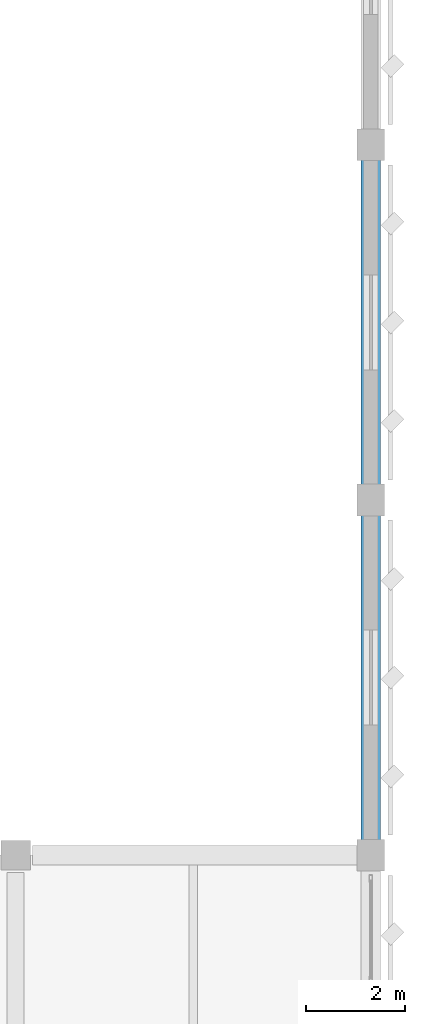
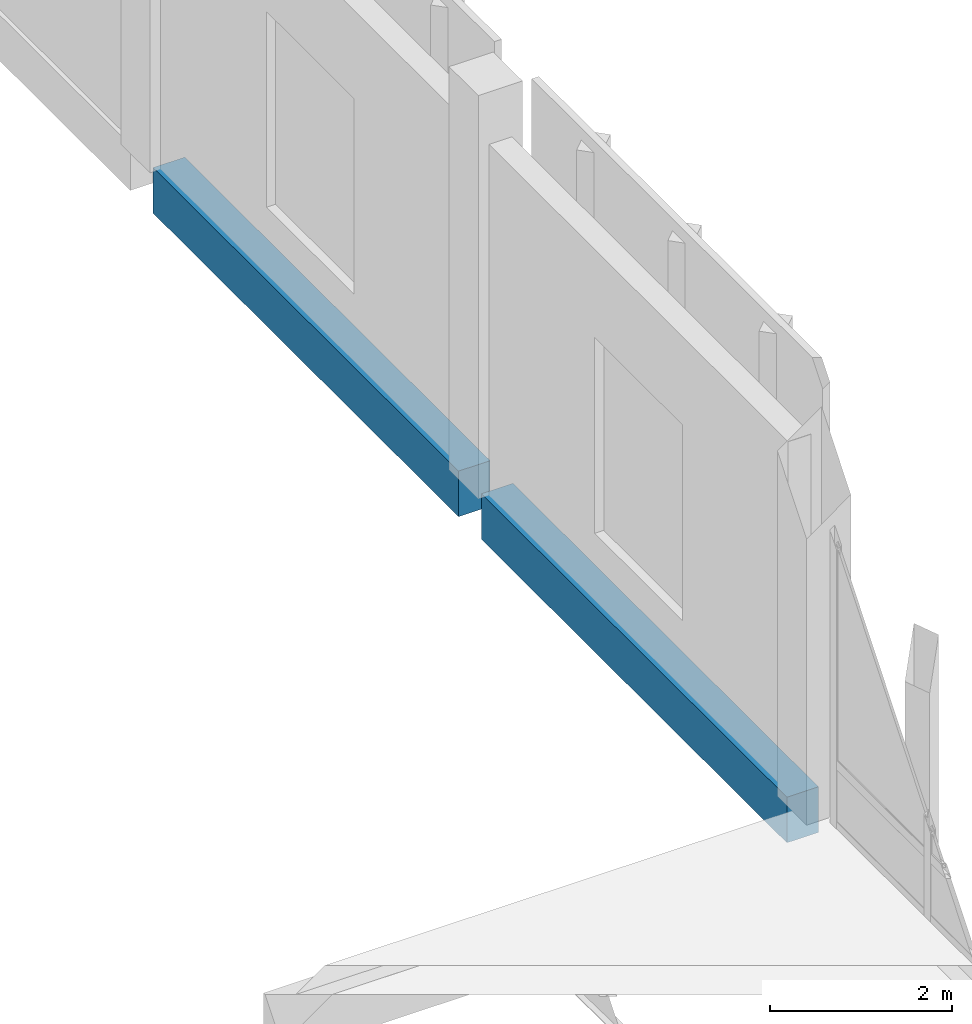
# One storey, part 113 of 180: 2 beams.
"""IFC4 building model written with IfcOpenShell, lengths in metres."""

from ifc_helpers import new_model, si_unit, direction, frame, origin, origin_2d, place, context, subcontext, project, spatial, rectangle, extrude, material, material_profile, profile_set, type_object, element, save


model = new_model("IFC4")

# Units and contexts
model_context = context("Model", 3, precision=1e-05, world=origin(), true_north=direction((0.0, 1.0)))
body_context = subcontext(model_context, "Body", "Model", "MODEL_VIEW")
ifc_project = project(units=[si_unit("LENGTHUNIT", "METRE"), si_unit("AREAUNIT", "SQUARE_METRE"), si_unit("VOLUMEUNIT", "CUBIC_METRE"), si_unit("PLANEANGLEUNIT", "RADIAN"), si_unit("MASSUNIT", "GRAM", prefix="KILO")], contexts=[model_context])

# Site, building, storey
site_placement = place(None, origin())
site = spatial("IfcSite", under=ifc_project, at=site_placement, CompositionType="ELEMENT")
building_placement = place(site_placement, origin())
building = spatial("IfcBuilding", under=site, at=building_placement, Name="Lusvemor Sports Hall", CompositionType="ELEMENT")
storey_placement = place(building_placement, frame((0.0, 0.0, 5.39990234375)))
storey = spatial("IfcBuildingStorey", under=building, at=storey_placement, Name="L01", CompositionType="ELEMENT", Elevation=5.39990234375)

# Beams
ifc_material = material(Name="Concrete C40/50", Category="concrete")
ifc_material_profile = material_profile(ifc_material, rectangle(XDim=0.39990234375, YDim=0.610107421875, at=origin_2d()), Name="RC400x610")
ifc_profile_set = profile_set([ifc_material_profile], Name="Concrete C40/50")
beam_type = type_object("IfcBeamType", Name="SPAND_EXT_650", PredefinedType="SPANDREL", material=ifc_profile_set)
for number, where, z_axis, x_axis, name in (
    (1, (169.199951171875, 47.050048828125, -0.304931640625), (0.0, 1.0, 0.0), (-1.0, 0.0, 0.0), "Climbing Hall East Girt L01-1"),
    (2, (169.199951171875, 54.25, -0.304931640625), (0.0, 1.0, 0.0), (-1.0, 0.0, 0.0), "Climbing Hall East Girt L01-2"),
):
    element("IfcBeam", number, at=place(storey_placement, frame(where, z_axis=z_axis, x_axis=x_axis)), inside=storey, type_object=beam_type, Name=name, PredefinedType="SPANDREL", context=body_context, shape_type="SweptSolid", body=[
        extrude(rectangle(XDim=0.39990234375, YDim=0.610107421875, at=origin_2d()), origin(), (0.0, 0.0, 1.0), 6.699951171875),
    ])

save(model, "model.ifc")
